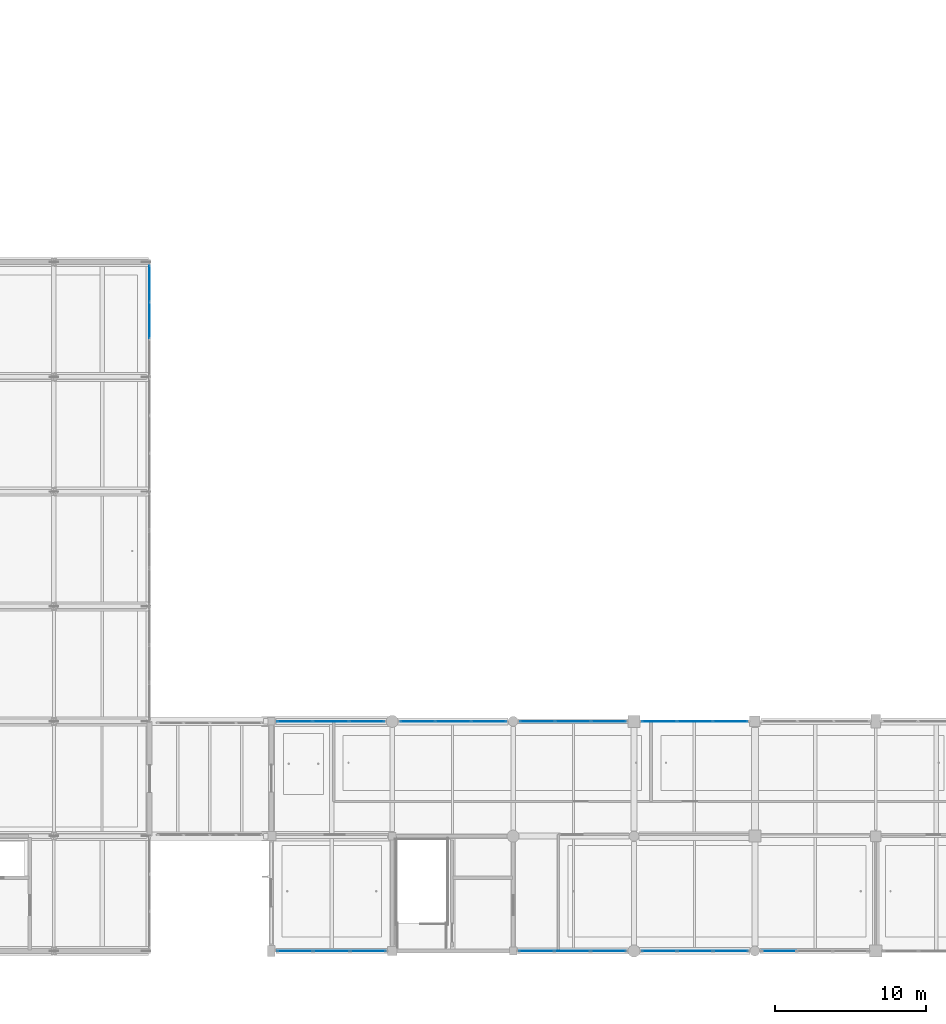
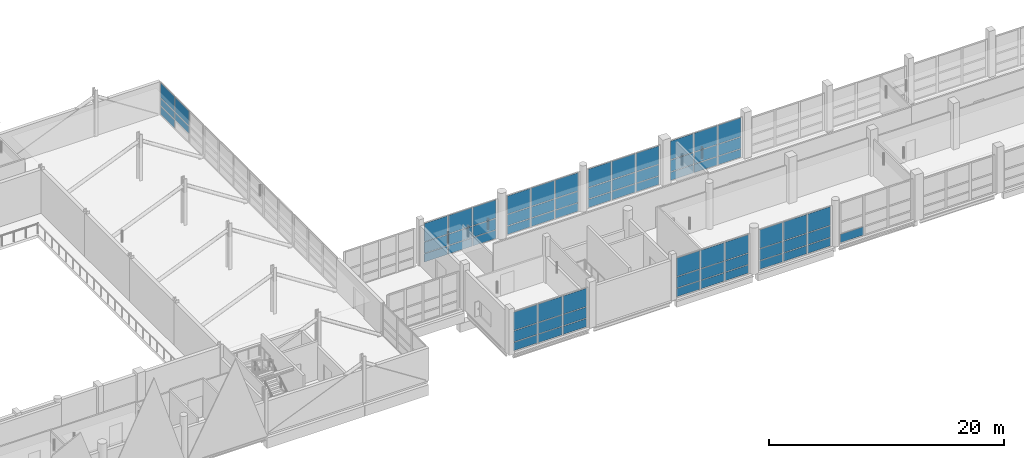
# One storey, part 74 of 141: 69 plates, 9 elements without a shape of their own.
"""IFC4 building model written with IfcOpenShell, lengths in metres."""

from ifc_helpers import new_model, si_unit, direction, frame, origin, origin_2d, place, context, subcontext, project, spatial, rectangle, extrude, material, layer, layer_set, type_object, element, aggregate, save


model = new_model("IFC4")

# Units and contexts
model_context = context("Model", 3, precision=1e-05, world=origin(), true_north=direction((0.0, 1.0)))
body_context = subcontext(model_context, "Body", "Model", "MODEL_VIEW")
ifc_project = project(units=[si_unit("LENGTHUNIT", "METRE"), si_unit("AREAUNIT", "SQUARE_METRE"), si_unit("VOLUMEUNIT", "CUBIC_METRE"), si_unit("PLANEANGLEUNIT", "RADIAN"), si_unit("MASSUNIT", "GRAM", prefix="KILO")], contexts=[model_context])

# Site, building, storey
site_placement = place(None, origin())
site = spatial("IfcSite", under=ifc_project, at=site_placement, CompositionType="ELEMENT")
building_placement = place(site_placement, origin())
building = spatial("IfcBuilding", under=site, at=building_placement, Name="Khelvaren Railside Concert Hall", CompositionType="ELEMENT")
storey_placement = place(building_placement, frame((0.0, 0.0, 10.199951171875)))
storey = spatial("IfcBuildingStorey", under=building, at=storey_placement, Name="L02", CompositionType="ELEMENT", Elevation=10.199951171875)

# Curtain wall, plates
ifc_material_1 = material(Name="Double-glazed clear foyer glass", Category="glass")
curtain_wall_type_1 = type_object("IfcCurtainWallType", Name="CW83", PredefinedType="USERDEFINED", material=ifc_material_1)
curtain_wall_1_placement = place(storey_placement, origin())
curtain_wall_1 = element("IfcCurtainWall", 1, at=curtain_wall_1_placement, inside=storey, type_object=curtain_wall_type_1, Name="Unitised Curtain Wall CW-V3-L02-S-64", ObjectType="UNITISED CURTAIN WALL", PredefinedType="USERDEFINED")
ifc_layer_1 = layer(ifc_material_1, 0.0439453125)
ifc_layer_set_1 = layer_set([ifc_layer_1], Name="Double-glazed clear foyer glass")
plate_type_1 = type_object("IfcPlateType", Name="CWP33", PredefinedType="CURTAIN_PANEL", material=ifc_layer_set_1)
plate_1_placement = place(storey_placement, frame((70.391357421875, 0.0, 0.06494140625), z_axis=(0.0, 0.0, 1.0), x_axis=(-1.0, 0.0, 0.0)))
plate_1 = element("IfcPlate", 2, at=plate_1_placement, type_object=plate_type_1, Name="CW83 panel 1.1", PredefinedType="CURTAIN_PANEL", context=body_context, shape_type="SweptSolid", body=[
    extrude(rectangle(XDim=2.322509765625, YDim=0.0439453125, at=origin_2d()), origin(), (0.0, 0.0, 1.0), 0.8525390625),
])
plate_2_placement = place(storey_placement, frame((70.391357421875, 0.0, 0.982421875), z_axis=(0.0, 0.0, 1.0), x_axis=(-1.0, 0.0, 0.0)))
plate_2 = element("IfcPlate", 3, at=plate_2_placement, type_object=plate_type_1, Name="CW83 panel 1.2", PredefinedType="CURTAIN_PANEL", context=body_context, shape_type="SweptSolid", body=[
    extrude(rectangle(XDim=2.322509765625, YDim=0.0439453125, at=origin_2d()), origin(), (0.0, 0.0, 1.0), 1.132568359375),
])
plate_3_placement = place(storey_placement, frame((70.391357421875, 0.0, 2.18017578125), z_axis=(0.0, 0.0, 1.0), x_axis=(-1.0, 0.0, 0.0)))
plate_3 = element("IfcPlate", 4, at=plate_3_placement, type_object=plate_type_1, Name="CW83 panel 1.3", PredefinedType="CURTAIN_PANEL", context=body_context, shape_type="SweptSolid", body=[
    extrude(rectangle(XDim=2.322509765625, YDim=0.0439453125, at=origin_2d()), origin(), (0.0, 0.0, 1.0), 1.885009765625),
])
plate_4_placement = place(storey_placement, frame((67.97509765625, 0.0, 0.06494140625), z_axis=(0.0, 0.0, 1.0), x_axis=(-1.0, 0.0, 0.0)))
plate_4 = element("IfcPlate", 5, at=plate_4_placement, type_object=plate_type_1, Name="CW83 panel 2.1", PredefinedType="CURTAIN_PANEL", context=body_context, shape_type="SweptSolid", body=[
    extrude(rectangle(XDim=2.360107421875, YDim=0.0439453125, at=origin_2d()), origin(), (0.0, 0.0, 1.0), 0.8525390625),
])
plate_5_placement = place(storey_placement, frame((67.97509765625, 0.0, 0.982421875), z_axis=(0.0, 0.0, 1.0), x_axis=(-1.0, 0.0, 0.0)))
plate_5 = element("IfcPlate", 6, at=plate_5_placement, type_object=plate_type_1, Name="CW83 panel 2.2", PredefinedType="CURTAIN_PANEL", context=body_context, shape_type="SweptSolid", body=[
    extrude(rectangle(XDim=2.360107421875, YDim=0.0439453125, at=origin_2d()), origin(), (0.0, 0.0, 1.0), 1.132568359375),
])
plate_6_placement = place(storey_placement, frame((67.97509765625, 0.0, 2.18017578125), z_axis=(0.0, 0.0, 1.0), x_axis=(-1.0, 0.0, 0.0)))
plate_6 = element("IfcPlate", 7, at=plate_6_placement, type_object=plate_type_1, Name="CW83 panel 2.3", PredefinedType="CURTAIN_PANEL", context=body_context, shape_type="SweptSolid", body=[
    extrude(rectangle(XDim=2.360107421875, YDim=0.0439453125, at=origin_2d()), origin(), (0.0, 0.0, 1.0), 1.885009765625),
])
plate_7_placement = place(storey_placement, frame((65.558837890625, 0.0, 0.06494140625), z_axis=(0.0, 0.0, 1.0), x_axis=(-1.0, 0.0, 0.0)))
plate_7 = element("IfcPlate", 8, at=plate_7_placement, type_object=plate_type_1, Name="CW83 panel 3.1", PredefinedType="CURTAIN_PANEL", context=body_context, shape_type="SweptSolid", body=[
    extrude(rectangle(XDim=2.322509765625, YDim=0.0439453125, at=origin_2d()), origin(), (0.0, 0.0, 1.0), 0.8525390625),
])
plate_8_placement = place(storey_placement, frame((65.558837890625, 0.0, 0.982421875), z_axis=(0.0, 0.0, 1.0), x_axis=(-1.0, 0.0, 0.0)))
plate_8 = element("IfcPlate", 9, at=plate_8_placement, type_object=plate_type_1, Name="CW83 panel 3.2", PredefinedType="CURTAIN_PANEL", context=body_context, shape_type="SweptSolid", body=[
    extrude(rectangle(XDim=2.322509765625, YDim=0.0439453125, at=origin_2d()), origin(), (0.0, 0.0, 1.0), 1.132568359375),
])
plate_9_placement = place(storey_placement, frame((65.558837890625, 0.0, 2.18017578125), z_axis=(0.0, 0.0, 1.0), x_axis=(-1.0, 0.0, 0.0)))
plate_9 = element("IfcPlate", 10, at=plate_9_placement, type_object=plate_type_1, Name="CW83 panel 3.3", PredefinedType="CURTAIN_PANEL", context=body_context, shape_type="SweptSolid", body=[
    extrude(rectangle(XDim=2.322509765625, YDim=0.0439453125, at=origin_2d()), origin(), (0.0, 0.0, 1.0), 1.885009765625),
])
aggregate(curtain_wall_1, [plate_1, plate_2, plate_3, plate_4, plate_5, plate_6, plate_7, plate_8, plate_9])

curtain_wall_type_2 = type_object("IfcCurtainWallType", Name="CW64", PredefinedType="USERDEFINED", material=ifc_material_1)
curtain_wall_2_placement = place(storey_placement, origin())
curtain_wall_2 = element("IfcCurtainWall", 11, at=curtain_wall_2_placement, inside=storey, type_object=curtain_wall_type_2, Name="Unitised Curtain Wall CW-V3-L02-S-80", ObjectType="UNITISED CURTAIN WALL", PredefinedType="USERDEFINED")
plate_10_placement = place(storey_placement, frame((86.307861328125, 0.0, 0.06494140625), z_axis=(0.0, 0.0, 1.0), x_axis=(-1.0, 0.0, 0.0)))
plate_10 = element("IfcPlate", 12, at=plate_10_placement, type_object=plate_type_1, Name="CW64 panel 1.1", PredefinedType="CURTAIN_PANEL", context=body_context, shape_type="SweptSolid", body=[
    extrude(rectangle(XDim=2.2890625, YDim=0.0439453125, at=origin_2d()), origin(), (0.0, 0.0, 1.0), 0.8525390625),
])
plate_11_placement = place(storey_placement, frame((86.307861328125, 0.0, 0.982421875), z_axis=(0.0, 0.0, 1.0), x_axis=(-1.0, 0.0, 0.0)))
plate_11 = element("IfcPlate", 13, at=plate_11_placement, type_object=plate_type_1, Name="CW64 panel 1.2", PredefinedType="CURTAIN_PANEL", context=body_context, shape_type="SweptSolid", body=[
    extrude(rectangle(XDim=2.2890625, YDim=0.0439453125, at=origin_2d()), origin(), (0.0, 0.0, 1.0), 1.132568359375),
])
plate_12_placement = place(storey_placement, frame((86.307861328125, 0.0, 2.18017578125), z_axis=(0.0, 0.0, 1.0), x_axis=(-1.0, 0.0, 0.0)))
plate_12 = element("IfcPlate", 14, at=plate_12_placement, type_object=plate_type_1, Name="CW64 panel 1.3", PredefinedType="CURTAIN_PANEL", context=body_context, shape_type="SweptSolid", body=[
    extrude(rectangle(XDim=2.2890625, YDim=0.0439453125, at=origin_2d()), origin(), (0.0, 0.0, 1.0), 1.885009765625),
])
plate_13_placement = place(storey_placement, frame((83.925048828125, 0.0, 0.06494140625), z_axis=(0.0, 0.0, 1.0), x_axis=(-1.0, 0.0, 0.0)))
plate_13 = element("IfcPlate", 15, at=plate_13_placement, type_object=plate_type_1, Name="CW64 panel 2.1", PredefinedType="CURTAIN_PANEL", context=body_context, shape_type="SweptSolid", body=[
    extrude(rectangle(XDim=2.32666015625, YDim=0.0439453125, at=origin_2d()), origin(), (0.0, 0.0, 1.0), 0.8525390625),
])
plate_14_placement = place(storey_placement, frame((83.925048828125, 0.0, 0.982421875), z_axis=(0.0, 0.0, 1.0), x_axis=(-1.0, 0.0, 0.0)))
plate_14 = element("IfcPlate", 16, at=plate_14_placement, type_object=plate_type_1, Name="CW64 panel 2.2", PredefinedType="CURTAIN_PANEL", context=body_context, shape_type="SweptSolid", body=[
    extrude(rectangle(XDim=2.32666015625, YDim=0.0439453125, at=origin_2d()), origin(), (0.0, 0.0, 1.0), 1.132568359375),
])
plate_15_placement = place(storey_placement, frame((83.925048828125, 0.0, 2.18017578125), z_axis=(0.0, 0.0, 1.0), x_axis=(-1.0, 0.0, 0.0)))
plate_15 = element("IfcPlate", 17, at=plate_15_placement, type_object=plate_type_1, Name="CW64 panel 2.3", PredefinedType="CURTAIN_PANEL", context=body_context, shape_type="SweptSolid", body=[
    extrude(rectangle(XDim=2.32666015625, YDim=0.0439453125, at=origin_2d()), origin(), (0.0, 0.0, 1.0), 1.885009765625),
])
plate_16_placement = place(storey_placement, frame((81.5419921875, 0.0, 0.06494140625), z_axis=(0.0, 0.0, 1.0), x_axis=(-1.0, 0.0, 0.0)))
plate_16 = element("IfcPlate", 18, at=plate_16_placement, type_object=plate_type_1, Name="CW64 panel 3.1", PredefinedType="CURTAIN_PANEL", context=body_context, shape_type="SweptSolid", body=[
    extrude(rectangle(XDim=2.2890625, YDim=0.0439453125, at=origin_2d()), origin(), (0.0, 0.0, 1.0), 0.8525390625),
])
plate_17_placement = place(storey_placement, frame((81.5419921875, 0.0, 0.982421875), z_axis=(0.0, 0.0, 1.0), x_axis=(-1.0, 0.0, 0.0)))
plate_17 = element("IfcPlate", 19, at=plate_17_placement, type_object=plate_type_1, Name="CW64 panel 3.2", PredefinedType="CURTAIN_PANEL", context=body_context, shape_type="SweptSolid", body=[
    extrude(rectangle(XDim=2.2890625, YDim=0.0439453125, at=origin_2d()), origin(), (0.0, 0.0, 1.0), 1.132568359375),
])
plate_18_placement = place(storey_placement, frame((81.5419921875, 0.0, 2.18017578125), z_axis=(0.0, 0.0, 1.0), x_axis=(-1.0, 0.0, 0.0)))
plate_18 = element("IfcPlate", 20, at=plate_18_placement, type_object=plate_type_1, Name="CW64 panel 3.3", PredefinedType="CURTAIN_PANEL", context=body_context, shape_type="SweptSolid", body=[
    extrude(rectangle(XDim=2.2890625, YDim=0.0439453125, at=origin_2d()), origin(), (0.0, 0.0, 1.0), 1.885009765625),
])
aggregate(curtain_wall_2, [plate_10, plate_11, plate_12, plate_13, plate_14, plate_15, plate_16, plate_17, plate_18])

curtain_wall_type_3 = type_object("IfcCurtainWallType", Name="CW68", PredefinedType="USERDEFINED", material=ifc_material_1)
curtain_wall_3_placement = place(storey_placement, origin())
curtain_wall_3 = element("IfcCurtainWall", 21, at=curtain_wall_3_placement, inside=storey, type_object=curtain_wall_type_3, Name="Unitised Curtain Wall CW-V3-L02-S-88", ObjectType="UNITISED CURTAIN WALL", PredefinedType="USERDEFINED")
plate_19_placement = place(storey_placement, frame((94.3955078125, 0.0, 0.06494140625), z_axis=(0.0, 0.0, 1.0), x_axis=(-1.0, 0.0, 0.0)))
plate_19 = element("IfcPlate", 22, at=plate_19_placement, type_object=plate_type_1, Name="CW68 panel 1.1", PredefinedType="CURTAIN_PANEL", context=body_context, shape_type="SweptSolid", body=[
    extrude(rectangle(XDim=2.26416015625, YDim=0.0439453125, at=origin_2d()), origin(), (0.0, 0.0, 1.0), 0.8525390625),
])
plate_20_placement = place(storey_placement, frame((94.3955078125, 0.0, 0.982421875), z_axis=(0.0, 0.0, 1.0), x_axis=(-1.0, 0.0, 0.0)))
plate_20 = element("IfcPlate", 23, at=plate_20_placement, type_object=plate_type_1, Name="CW68 panel 1.2", PredefinedType="CURTAIN_PANEL", context=body_context, shape_type="SweptSolid", body=[
    extrude(rectangle(XDim=2.26416015625, YDim=0.0439453125, at=origin_2d()), origin(), (0.0, 0.0, 1.0), 1.179443359375),
])
plate_21_placement = place(storey_placement, frame((94.3955078125, 0.0, 2.22705078125), z_axis=(0.0, 0.0, 1.0), x_axis=(-1.0, 0.0, 0.0)))
plate_21 = element("IfcPlate", 24, at=plate_21_placement, type_object=plate_type_1, Name="CW68 panel 1.3", PredefinedType="CURTAIN_PANEL", context=body_context, shape_type="SweptSolid", body=[
    extrude(rectangle(XDim=2.26416015625, YDim=0.0439453125, at=origin_2d()), origin(), (0.0, 0.0, 1.0), 1.927978515625),
])
plate_22_placement = place(storey_placement, frame((92.03759765625, 0.0, 0.06494140625), z_axis=(0.0, 0.0, 1.0), x_axis=(-1.0, 0.0, 0.0)))
plate_22 = element("IfcPlate", 25, at=plate_22_placement, type_object=plate_type_1, Name="CW68 panel 2.1", PredefinedType="CURTAIN_PANEL", context=body_context, shape_type="SweptSolid", body=[
    extrude(rectangle(XDim=2.3017578125, YDim=0.0439453125, at=origin_2d()), origin(), (0.0, 0.0, 1.0), 0.8525390625),
])
plate_23_placement = place(storey_placement, frame((92.03759765625, 0.0, 0.982421875), z_axis=(0.0, 0.0, 1.0), x_axis=(-1.0, 0.0, 0.0)))
plate_23 = element("IfcPlate", 26, at=plate_23_placement, type_object=plate_type_1, Name="CW68 panel 2.2", PredefinedType="CURTAIN_PANEL", context=body_context, shape_type="SweptSolid", body=[
    extrude(rectangle(XDim=2.3017578125, YDim=0.0439453125, at=origin_2d()), origin(), (0.0, 0.0, 1.0), 1.179443359375),
])
plate_24_placement = place(storey_placement, frame((92.03759765625, 0.0, 2.22705078125), z_axis=(0.0, 0.0, 1.0), x_axis=(-1.0, 0.0, 0.0)))
plate_24 = element("IfcPlate", 27, at=plate_24_placement, type_object=plate_type_1, Name="CW68 panel 2.3", PredefinedType="CURTAIN_PANEL", context=body_context, shape_type="SweptSolid", body=[
    extrude(rectangle(XDim=2.3017578125, YDim=0.0439453125, at=origin_2d()), origin(), (0.0, 0.0, 1.0), 1.927978515625),
])
plate_25_placement = place(storey_placement, frame((89.6796875, 0.0, 0.06494140625), z_axis=(0.0, 0.0, 1.0), x_axis=(-1.0, 0.0, 0.0)))
plate_25 = element("IfcPlate", 28, at=plate_25_placement, type_object=plate_type_1, Name="CW68 panel 3.1", PredefinedType="CURTAIN_PANEL", context=body_context, shape_type="SweptSolid", body=[
    extrude(rectangle(XDim=2.26416015625, YDim=0.0439453125, at=origin_2d()), origin(), (0.0, 0.0, 1.0), 0.8525390625),
])
plate_26_placement = place(storey_placement, frame((89.6796875, 0.0, 0.982421875), z_axis=(0.0, 0.0, 1.0), x_axis=(-1.0, 0.0, 0.0)))
plate_26 = element("IfcPlate", 29, at=plate_26_placement, type_object=plate_type_1, Name="CW68 panel 3.2", PredefinedType="CURTAIN_PANEL", context=body_context, shape_type="SweptSolid", body=[
    extrude(rectangle(XDim=2.26416015625, YDim=0.0439453125, at=origin_2d()), origin(), (0.0, 0.0, 1.0), 1.179443359375),
])
plate_27_placement = place(storey_placement, frame((89.6796875, 0.0, 2.22705078125), z_axis=(0.0, 0.0, 1.0), x_axis=(-1.0, 0.0, 0.0)))
plate_27 = element("IfcPlate", 30, at=plate_27_placement, type_object=plate_type_1, Name="CW68 panel 3.3", PredefinedType="CURTAIN_PANEL", context=body_context, shape_type="SweptSolid", body=[
    extrude(rectangle(XDim=2.26416015625, YDim=0.0439453125, at=origin_2d()), origin(), (0.0, 0.0, 1.0), 1.927978515625),
])
aggregate(curtain_wall_3, [plate_19, plate_20, plate_21, plate_22, plate_23, plate_24, plate_25, plate_26, plate_27])

# Curtain wall, plate
curtain_wall_type_4 = type_object("IfcCurtainWallType", Name="CW70", PredefinedType="USERDEFINED", material=ifc_material_1)
curtain_wall_4_placement = place(storey_placement, origin())
curtain_wall_4 = element("IfcCurtainWall", 31, at=curtain_wall_4_placement, inside=storey, type_object=curtain_wall_type_4, Name="Unitised Curtain Wall CW-V3-L02-S-96", ObjectType="UNITISED CURTAIN WALL", PredefinedType="USERDEFINED")
plate_28_placement = place(storey_placement, frame((97.6044921875, 0.0, 0.06494140625), z_axis=(0.0, 0.0, 1.0), x_axis=(-1.0, 0.0, 0.0)))
plate_28 = element("IfcPlate", 32, at=plate_28_placement, type_object=plate_type_1, Name="CW70 panel 3.1", PredefinedType="CURTAIN_PANEL", context=body_context, shape_type="SweptSolid", body=[
    extrude(rectangle(XDim=2.26416015625, YDim=0.0439453125, at=origin_2d()), origin(), (0.0, 0.0, 1.0), 0.8525390625),
])
aggregate(curtain_wall_4, [plate_28])

# Curtain wall, plates
curtain_wall_5_placement = place(storey_placement, origin())
curtain_wall_5 = element("IfcCurtainWall", 33, at=curtain_wall_5_placement, inside=storey, type_object=curtain_wall_type_4, Name="Unitised Curtain Wall CW-V3-L02-N-64", ObjectType="UNITISED CURTAIN WALL", PredefinedType="USERDEFINED")
plate_29_placement = place(storey_placement, frame((65.5419921875, 15.199951171875, 0.06494140625), z_axis=(0.0, 0.0, 1.0), x_axis=(1.0, 0.0, 0.0)))
plate_29 = element("IfcPlate", 34, at=plate_29_placement, type_object=plate_type_1, Name="CW70 panel 1.1", PredefinedType="CURTAIN_PANEL", context=body_context, shape_type="SweptSolid", body=[
    extrude(rectangle(XDim=2.2890625, YDim=0.0439453125, at=origin_2d()), origin(), (0.0, 0.0, 1.0), 0.8525390625),
])
plate_30_placement = place(storey_placement, frame((65.5419921875, 15.199951171875, 0.982421875), z_axis=(0.0, 0.0, 1.0), x_axis=(1.0, 0.0, 0.0)))
plate_30 = element("IfcPlate", 35, at=plate_30_placement, type_object=plate_type_1, Name="CW70 panel 1.2", PredefinedType="CURTAIN_PANEL", context=body_context, shape_type="SweptSolid", body=[
    extrude(rectangle(XDim=2.2890625, YDim=0.0439453125, at=origin_2d()), origin(), (0.0, 0.0, 1.0), 1.132568359375),
])
plate_31_placement = place(storey_placement, frame((65.5419921875, 15.199951171875, 2.18017578125), z_axis=(0.0, 0.0, 1.0), x_axis=(1.0, 0.0, 0.0)))
plate_31 = element("IfcPlate", 36, at=plate_31_placement, type_object=plate_type_1, Name="CW70 panel 1.3", PredefinedType="CURTAIN_PANEL", context=body_context, shape_type="SweptSolid", body=[
    extrude(rectangle(XDim=2.2890625, YDim=0.0439453125, at=origin_2d()), origin(), (0.0, 0.0, 1.0), 1.885009765625),
])
plate_32_placement = place(storey_placement, frame((67.925048828125, 15.199951171875, 0.06494140625), z_axis=(0.0, 0.0, 1.0), x_axis=(1.0, 0.0, 0.0)))
plate_32 = element("IfcPlate", 37, at=plate_32_placement, type_object=plate_type_1, Name="CW70 panel 2.1", PredefinedType="CURTAIN_PANEL", context=body_context, shape_type="SweptSolid", body=[
    extrude(rectangle(XDim=2.32666015625, YDim=0.0439453125, at=origin_2d()), origin(), (0.0, 0.0, 1.0), 0.8525390625),
])
plate_33_placement = place(storey_placement, frame((67.925048828125, 15.199951171875, 0.982421875), z_axis=(0.0, 0.0, 1.0), x_axis=(1.0, 0.0, 0.0)))
plate_33 = element("IfcPlate", 38, at=plate_33_placement, type_object=plate_type_1, Name="CW70 panel 2.2", PredefinedType="CURTAIN_PANEL", context=body_context, shape_type="SweptSolid", body=[
    extrude(rectangle(XDim=2.32666015625, YDim=0.0439453125, at=origin_2d()), origin(), (0.0, 0.0, 1.0), 1.132568359375),
])
plate_34_placement = place(storey_placement, frame((67.925048828125, 15.199951171875, 2.18017578125), z_axis=(0.0, 0.0, 1.0), x_axis=(1.0, 0.0, 0.0)))
plate_34 = element("IfcPlate", 39, at=plate_34_placement, type_object=plate_type_1, Name="CW70 panel 2.3", PredefinedType="CURTAIN_PANEL", context=body_context, shape_type="SweptSolid", body=[
    extrude(rectangle(XDim=2.32666015625, YDim=0.0439453125, at=origin_2d()), origin(), (0.0, 0.0, 1.0), 1.885009765625),
])
plate_35_placement = place(storey_placement, frame((70.307861328125, 15.199951171875, 0.06494140625), z_axis=(0.0, 0.0, 1.0), x_axis=(1.0, 0.0, 0.0)))
plate_35 = element("IfcPlate", 40, at=plate_35_placement, type_object=plate_type_1, Name="CW70 panel 3.1", PredefinedType="CURTAIN_PANEL", context=body_context, shape_type="SweptSolid", body=[
    extrude(rectangle(XDim=2.2890625, YDim=0.0439453125, at=origin_2d()), origin(), (0.0, 0.0, 1.0), 0.8525390625),
])
plate_36_placement = place(storey_placement, frame((70.307861328125, 15.199951171875, 0.982421875), z_axis=(0.0, 0.0, 1.0), x_axis=(1.0, 0.0, 0.0)))
plate_36 = element("IfcPlate", 41, at=plate_36_placement, type_object=plate_type_1, Name="CW70 panel 3.2", PredefinedType="CURTAIN_PANEL", context=body_context, shape_type="SweptSolid", body=[
    extrude(rectangle(XDim=2.2890625, YDim=0.0439453125, at=origin_2d()), origin(), (0.0, 0.0, 1.0), 1.132568359375),
])
plate_37_placement = place(storey_placement, frame((70.307861328125, 15.199951171875, 2.18017578125), z_axis=(0.0, 0.0, 1.0), x_axis=(1.0, 0.0, 0.0)))
plate_37 = element("IfcPlate", 42, at=plate_37_placement, type_object=plate_type_1, Name="CW70 panel 3.3", PredefinedType="CURTAIN_PANEL", context=body_context, shape_type="SweptSolid", body=[
    extrude(rectangle(XDim=2.2890625, YDim=0.0439453125, at=origin_2d()), origin(), (0.0, 0.0, 1.0), 1.885009765625),
])
aggregate(curtain_wall_5, [plate_29, plate_30, plate_31, plate_32, plate_33, plate_34, plate_35, plate_36, plate_37])

curtain_wall_6_placement = place(storey_placement, origin())
curtain_wall_6 = element("IfcCurtainWall", 43, at=curtain_wall_6_placement, inside=storey, type_object=curtain_wall_type_1, Name="Unitised Curtain Wall CW-V3-L02-N-72", ObjectType="UNITISED CURTAIN WALL", PredefinedType="USERDEFINED")
plate_38_placement = place(storey_placement, frame((73.6796875, 15.199951171875, 0.06494140625), z_axis=(0.0, 0.0, 1.0), x_axis=(1.0, 0.0, 0.0)))
plate_38 = element("IfcPlate", 44, at=plate_38_placement, type_object=plate_type_1, Name="CW83 panel 1.1", PredefinedType="CURTAIN_PANEL", context=body_context, shape_type="SweptSolid", body=[
    extrude(rectangle(XDim=2.26416015625, YDim=0.0439453125, at=origin_2d()), origin(), (0.0, 0.0, 1.0), 0.8525390625),
])
plate_39_placement = place(storey_placement, frame((73.6796875, 15.199951171875, 0.982421875), z_axis=(0.0, 0.0, 1.0), x_axis=(1.0, 0.0, 0.0)))
plate_39 = element("IfcPlate", 45, at=plate_39_placement, type_object=plate_type_1, Name="CW83 panel 1.2", PredefinedType="CURTAIN_PANEL", context=body_context, shape_type="SweptSolid", body=[
    extrude(rectangle(XDim=2.26416015625, YDim=0.0439453125, at=origin_2d()), origin(), (0.0, 0.0, 1.0), 1.132568359375),
])
plate_40_placement = place(storey_placement, frame((73.6796875, 15.199951171875, 2.18017578125), z_axis=(0.0, 0.0, 1.0), x_axis=(1.0, 0.0, 0.0)))
plate_40 = element("IfcPlate", 46, at=plate_40_placement, type_object=plate_type_1, Name="CW83 panel 1.3", PredefinedType="CURTAIN_PANEL", context=body_context, shape_type="SweptSolid", body=[
    extrude(rectangle(XDim=2.26416015625, YDim=0.0439453125, at=origin_2d()), origin(), (0.0, 0.0, 1.0), 1.885009765625),
])
plate_41_placement = place(storey_placement, frame((76.03759765625, 15.199951171875, 0.06494140625), z_axis=(0.0, 0.0, 1.0), x_axis=(1.0, 0.0, 0.0)))
plate_41 = element("IfcPlate", 47, at=plate_41_placement, type_object=plate_type_1, Name="CW83 panel 2.1", PredefinedType="CURTAIN_PANEL", context=body_context, shape_type="SweptSolid", body=[
    extrude(rectangle(XDim=2.3017578125, YDim=0.0439453125, at=origin_2d()), origin(), (0.0, 0.0, 1.0), 0.8525390625),
])
plate_42_placement = place(storey_placement, frame((76.03759765625, 15.199951171875, 0.982421875), z_axis=(0.0, 0.0, 1.0), x_axis=(1.0, 0.0, 0.0)))
plate_42 = element("IfcPlate", 48, at=plate_42_placement, type_object=plate_type_1, Name="CW83 panel 2.2", PredefinedType="CURTAIN_PANEL", context=body_context, shape_type="SweptSolid", body=[
    extrude(rectangle(XDim=2.3017578125, YDim=0.0439453125, at=origin_2d()), origin(), (0.0, 0.0, 1.0), 1.132568359375),
])
plate_43_placement = place(storey_placement, frame((76.03759765625, 15.199951171875, 2.18017578125), z_axis=(0.0, 0.0, 1.0), x_axis=(1.0, 0.0, 0.0)))
plate_43 = element("IfcPlate", 49, at=plate_43_placement, type_object=plate_type_1, Name="CW83 panel 2.3", PredefinedType="CURTAIN_PANEL", context=body_context, shape_type="SweptSolid", body=[
    extrude(rectangle(XDim=2.3017578125, YDim=0.0439453125, at=origin_2d()), origin(), (0.0, 0.0, 1.0), 1.885009765625),
])
plate_44_placement = place(storey_placement, frame((78.3955078125, 15.199951171875, 0.06494140625), z_axis=(0.0, 0.0, 1.0), x_axis=(1.0, 0.0, 0.0)))
plate_44 = element("IfcPlate", 50, at=plate_44_placement, type_object=plate_type_1, Name="CW83 panel 3.1", PredefinedType="CURTAIN_PANEL", context=body_context, shape_type="SweptSolid", body=[
    extrude(rectangle(XDim=2.26416015625, YDim=0.0439453125, at=origin_2d()), origin(), (0.0, 0.0, 1.0), 0.8525390625),
])
plate_45_placement = place(storey_placement, frame((78.3955078125, 15.199951171875, 0.982421875), z_axis=(0.0, 0.0, 1.0), x_axis=(1.0, 0.0, 0.0)))
plate_45 = element("IfcPlate", 51, at=plate_45_placement, type_object=plate_type_1, Name="CW83 panel 3.2", PredefinedType="CURTAIN_PANEL", context=body_context, shape_type="SweptSolid", body=[
    extrude(rectangle(XDim=2.26416015625, YDim=0.0439453125, at=origin_2d()), origin(), (0.0, 0.0, 1.0), 1.132568359375),
])
plate_46_placement = place(storey_placement, frame((78.3955078125, 15.199951171875, 2.18017578125), z_axis=(0.0, 0.0, 1.0), x_axis=(1.0, 0.0, 0.0)))
plate_46 = element("IfcPlate", 52, at=plate_46_placement, type_object=plate_type_1, Name="CW83 panel 3.3", PredefinedType="CURTAIN_PANEL", context=body_context, shape_type="SweptSolid", body=[
    extrude(rectangle(XDim=2.26416015625, YDim=0.0439453125, at=origin_2d()), origin(), (0.0, 0.0, 1.0), 1.885009765625),
])
aggregate(curtain_wall_6, [plate_38, plate_39, plate_40, plate_41, plate_42, plate_43, plate_44, plate_45, plate_46])

curtain_wall_7_placement = place(storey_placement, origin())
curtain_wall_7 = element("IfcCurtainWall", 53, at=curtain_wall_7_placement, inside=storey, type_object=curtain_wall_type_2, Name="Unitised Curtain Wall CW-V3-L02-N-80", ObjectType="UNITISED CURTAIN WALL", PredefinedType="USERDEFINED")
plate_47_placement = place(storey_placement, frame((81.6044921875, 15.199951171875, 0.06494140625), z_axis=(0.0, 0.0, 1.0), x_axis=(1.0, 0.0, 0.0)))
plate_47 = element("IfcPlate", 54, at=plate_47_placement, type_object=plate_type_1, Name="CW64 panel 1.1", PredefinedType="CURTAIN_PANEL", context=body_context, shape_type="SweptSolid", body=[
    extrude(rectangle(XDim=2.26416015625, YDim=0.0439453125, at=origin_2d()), origin(), (0.0, 0.0, 1.0), 0.8525390625),
])
plate_48_placement = place(storey_placement, frame((81.6044921875, 15.199951171875, 0.982421875), z_axis=(0.0, 0.0, 1.0), x_axis=(1.0, 0.0, 0.0)))
plate_48 = element("IfcPlate", 55, at=plate_48_placement, type_object=plate_type_1, Name="CW64 panel 1.2", PredefinedType="CURTAIN_PANEL", context=body_context, shape_type="SweptSolid", body=[
    extrude(rectangle(XDim=2.26416015625, YDim=0.0439453125, at=origin_2d()), origin(), (0.0, 0.0, 1.0), 1.132568359375),
])
plate_49_placement = place(storey_placement, frame((81.6044921875, 15.199951171875, 2.18017578125), z_axis=(0.0, 0.0, 1.0), x_axis=(1.0, 0.0, 0.0)))
plate_49 = element("IfcPlate", 56, at=plate_49_placement, type_object=plate_type_1, Name="CW64 panel 1.3", PredefinedType="CURTAIN_PANEL", context=body_context, shape_type="SweptSolid", body=[
    extrude(rectangle(XDim=2.26416015625, YDim=0.0439453125, at=origin_2d()), origin(), (0.0, 0.0, 1.0), 1.885009765625),
])
plate_50_placement = place(storey_placement, frame((83.96240234375, 15.199951171875, 0.06494140625), z_axis=(0.0, 0.0, 1.0), x_axis=(1.0, 0.0, 0.0)))
plate_50 = element("IfcPlate", 57, at=plate_50_placement, type_object=plate_type_1, Name="CW64 panel 2.1", PredefinedType="CURTAIN_PANEL", context=body_context, shape_type="SweptSolid", body=[
    extrude(rectangle(XDim=2.3017578125, YDim=0.0439453125, at=origin_2d()), origin(), (0.0, 0.0, 1.0), 0.8525390625),
])
plate_51_placement = place(storey_placement, frame((83.96240234375, 15.199951171875, 0.982421875), z_axis=(0.0, 0.0, 1.0), x_axis=(1.0, 0.0, 0.0)))
plate_51 = element("IfcPlate", 58, at=plate_51_placement, type_object=plate_type_1, Name="CW64 panel 2.2", PredefinedType="CURTAIN_PANEL", context=body_context, shape_type="SweptSolid", body=[
    extrude(rectangle(XDim=2.3017578125, YDim=0.0439453125, at=origin_2d()), origin(), (0.0, 0.0, 1.0), 1.132568359375),
])
plate_52_placement = place(storey_placement, frame((83.96240234375, 15.199951171875, 2.18017578125), z_axis=(0.0, 0.0, 1.0), x_axis=(1.0, 0.0, 0.0)))
plate_52 = element("IfcPlate", 59, at=plate_52_placement, type_object=plate_type_1, Name="CW64 panel 2.3", PredefinedType="CURTAIN_PANEL", context=body_context, shape_type="SweptSolid", body=[
    extrude(rectangle(XDim=2.3017578125, YDim=0.0439453125, at=origin_2d()), origin(), (0.0, 0.0, 1.0), 1.885009765625),
])
plate_53_placement = place(storey_placement, frame((86.3203125, 15.199951171875, 0.06494140625), z_axis=(0.0, 0.0, 1.0), x_axis=(1.0, 0.0, 0.0)))
plate_53 = element("IfcPlate", 60, at=plate_53_placement, type_object=plate_type_1, Name="CW64 panel 3.1", PredefinedType="CURTAIN_PANEL", context=body_context, shape_type="SweptSolid", body=[
    extrude(rectangle(XDim=2.26416015625, YDim=0.0439453125, at=origin_2d()), origin(), (0.0, 0.0, 1.0), 0.8525390625),
])
plate_54_placement = place(storey_placement, frame((86.3203125, 15.199951171875, 0.982421875), z_axis=(0.0, 0.0, 1.0), x_axis=(1.0, 0.0, 0.0)))
plate_54 = element("IfcPlate", 61, at=plate_54_placement, type_object=plate_type_1, Name="CW64 panel 3.2", PredefinedType="CURTAIN_PANEL", context=body_context, shape_type="SweptSolid", body=[
    extrude(rectangle(XDim=2.26416015625, YDim=0.0439453125, at=origin_2d()), origin(), (0.0, 0.0, 1.0), 1.132568359375),
])
plate_55_placement = place(storey_placement, frame((86.3203125, 15.199951171875, 2.18017578125), z_axis=(0.0, 0.0, 1.0), x_axis=(1.0, 0.0, 0.0)))
plate_55 = element("IfcPlate", 62, at=plate_55_placement, type_object=plate_type_1, Name="CW64 panel 3.3", PredefinedType="CURTAIN_PANEL", context=body_context, shape_type="SweptSolid", body=[
    extrude(rectangle(XDim=2.26416015625, YDim=0.0439453125, at=origin_2d()), origin(), (0.0, 0.0, 1.0), 1.885009765625),
])
aggregate(curtain_wall_7, [plate_47, plate_48, plate_49, plate_50, plate_51, plate_52, plate_53, plate_54, plate_55])

curtain_wall_8_placement = place(storey_placement, origin())
curtain_wall_8 = element("IfcCurtainWall", 63, at=curtain_wall_8_placement, inside=storey, type_object=curtain_wall_type_3, Name="Unitised Curtain Wall CW-V3-L02-N-88", ObjectType="UNITISED CURTAIN WALL", PredefinedType="USERDEFINED")
plate_56_placement = place(storey_placement, frame((89.675537109375, 15.199951171875, 0.06494140625), z_axis=(0.0, 0.0, 1.0), x_axis=(1.0, 0.0, 0.0)))
plate_56 = element("IfcPlate", 64, at=plate_56_placement, type_object=plate_type_1, Name="CW68 panel 1.1", PredefinedType="CURTAIN_PANEL", context=body_context, shape_type="SweptSolid", body=[
    extrude(rectangle(XDim=2.255859375, YDim=0.0439453125, at=origin_2d()), origin(), (0.0, 0.0, 1.0), 0.8525390625),
])
plate_57_placement = place(storey_placement, frame((89.675537109375, 15.199951171875, 0.982421875), z_axis=(0.0, 0.0, 1.0), x_axis=(1.0, 0.0, 0.0)))
plate_57 = element("IfcPlate", 65, at=plate_57_placement, type_object=plate_type_1, Name="CW68 panel 1.2", PredefinedType="CURTAIN_PANEL", context=body_context, shape_type="SweptSolid", body=[
    extrude(rectangle(XDim=2.255859375, YDim=0.0439453125, at=origin_2d()), origin(), (0.0, 0.0, 1.0), 1.179443359375),
])
plate_58_placement = place(storey_placement, frame((89.675537109375, 15.199951171875, 2.22705078125), z_axis=(0.0, 0.0, 1.0), x_axis=(1.0, 0.0, 0.0)))
plate_58 = element("IfcPlate", 66, at=plate_58_placement, type_object=plate_type_1, Name="CW68 panel 1.3", PredefinedType="CURTAIN_PANEL", context=body_context, shape_type="SweptSolid", body=[
    extrude(rectangle(XDim=2.255859375, YDim=0.0439453125, at=origin_2d()), origin(), (0.0, 0.0, 1.0), 1.927978515625),
])
plate_59_placement = place(storey_placement, frame((92.02490234375, 15.199951171875, 0.06494140625), z_axis=(0.0, 0.0, 1.0), x_axis=(1.0, 0.0, 0.0)))
plate_59 = element("IfcPlate", 67, at=plate_59_placement, type_object=plate_type_1, Name="CW68 panel 2.1", PredefinedType="CURTAIN_PANEL", context=body_context, shape_type="SweptSolid", body=[
    extrude(rectangle(XDim=2.293212890625, YDim=0.0439453125, at=origin_2d()), origin(), (0.0, 0.0, 1.0), 0.8525390625),
])
plate_60_placement = place(storey_placement, frame((92.02490234375, 15.199951171875, 0.982421875), z_axis=(0.0, 0.0, 1.0), x_axis=(1.0, 0.0, 0.0)))
plate_60 = element("IfcPlate", 68, at=plate_60_placement, type_object=plate_type_1, Name="CW68 panel 2.2", PredefinedType="CURTAIN_PANEL", context=body_context, shape_type="SweptSolid", body=[
    extrude(rectangle(XDim=2.293212890625, YDim=0.0439453125, at=origin_2d()), origin(), (0.0, 0.0, 1.0), 1.179443359375),
])
plate_61_placement = place(storey_placement, frame((92.02490234375, 15.199951171875, 2.22705078125), z_axis=(0.0, 0.0, 1.0), x_axis=(1.0, 0.0, 0.0)))
plate_61 = element("IfcPlate", 69, at=plate_61_placement, type_object=plate_type_1, Name="CW68 panel 2.3", PredefinedType="CURTAIN_PANEL", context=body_context, shape_type="SweptSolid", body=[
    extrude(rectangle(XDim=2.293212890625, YDim=0.0439453125, at=origin_2d()), origin(), (0.0, 0.0, 1.0), 1.927978515625),
])
plate_62_placement = place(storey_placement, frame((94.37451171875, 15.199951171875, 0.06494140625), z_axis=(0.0, 0.0, 1.0), x_axis=(1.0, 0.0, 0.0)))
plate_62 = element("IfcPlate", 70, at=plate_62_placement, type_object=plate_type_1, Name="CW68 panel 3.1", PredefinedType="CURTAIN_PANEL", context=body_context, shape_type="SweptSolid", body=[
    extrude(rectangle(XDim=2.255859375, YDim=0.0439453125, at=origin_2d()), origin(), (0.0, 0.0, 1.0), 0.8525390625),
])
plate_63_placement = place(storey_placement, frame((94.37451171875, 15.199951171875, 0.982421875), z_axis=(0.0, 0.0, 1.0), x_axis=(1.0, 0.0, 0.0)))
plate_63 = element("IfcPlate", 71, at=plate_63_placement, type_object=plate_type_1, Name="CW68 panel 3.2", PredefinedType="CURTAIN_PANEL", context=body_context, shape_type="SweptSolid", body=[
    extrude(rectangle(XDim=2.255859375, YDim=0.0439453125, at=origin_2d()), origin(), (0.0, 0.0, 1.0), 1.179443359375),
])
plate_64_placement = place(storey_placement, frame((94.37451171875, 15.199951171875, 2.22705078125), z_axis=(0.0, 0.0, 1.0), x_axis=(1.0, 0.0, 0.0)))
plate_64 = element("IfcPlate", 72, at=plate_64_placement, type_object=plate_type_1, Name="CW68 panel 3.3", PredefinedType="CURTAIN_PANEL", context=body_context, shape_type="SweptSolid", body=[
    extrude(rectangle(XDim=2.255859375, YDim=0.0439453125, at=origin_2d()), origin(), (0.0, 0.0, 1.0), 1.927978515625),
])
aggregate(curtain_wall_8, [plate_56, plate_57, plate_58, plate_59, plate_60, plate_61, plate_62, plate_63, plate_64])

ifc_material_2 = material(Name="Triple-glazed solar-control glass", Category="glass")
curtain_wall_type_5 = type_object("IfcCurtainWallType", Name="CW41", PredefinedType="USERDEFINED", material=ifc_material_2)
curtain_wall_9_placement = place(storey_placement, origin())
curtain_wall_9 = element("IfcCurtainWall", 73, at=curtain_wall_9_placement, inside=storey, type_object=curtain_wall_type_5, Name="Unitised Curtain Wall CW-V1-L02-E-38", ObjectType="UNITISED CURTAIN WALL", PredefinedType="USERDEFINED")
ifc_layer_2 = layer(ifc_material_2, 0.035888671875)
ifc_layer_set_2 = layer_set([ifc_layer_2], Name="Triple-glazed solar-control glass")
plate_type_2 = type_object("IfcPlateType", Name="CWP53", PredefinedType="CURTAIN_PANEL", material=ifc_layer_set_2)
plate_65_placement = place(storey_placement, frame((55.93994140625, 44.18798828125, 0.0751953125), z_axis=(0.0, 0.0, 1.0), x_axis=(0.0, -1.0, 0.0)))
plate_65 = element("IfcPlate", 74, at=plate_65_placement, type_object=plate_type_2, Name="CW41 panel 1.1", PredefinedType="CURTAIN_PANEL", context=body_context, shape_type="SweptSolid", body=[
    extrude(rectangle(XDim=2.354248046875, YDim=0.035888671875, at=origin_2d()), origin(), (0.0, 0.0, 1.0), 0.83740234375),
])
plate_66_placement = place(storey_placement, frame((55.93994140625, 44.18798828125, 0.9873046875), z_axis=(0.0, 0.0, 1.0), x_axis=(0.0, -1.0, 0.0)))
plate_66 = element("IfcPlate", 75, at=plate_66_placement, type_object=plate_type_2, Name="CW41 panel 1.2", PredefinedType="CURTAIN_PANEL", context=body_context, shape_type="SweptSolid", body=[
    extrude(rectangle(XDim=2.354248046875, YDim=0.035888671875, at=origin_2d()), origin(), (0.0, 0.0, 1.0), 0.748291015625),
])
plate_67_placement = place(storey_placement, frame((55.93994140625, 44.18798828125, 1.810791015625), z_axis=(0.0, 0.0, 1.0), x_axis=(0.0, -1.0, 0.0)))
plate_67 = element("IfcPlate", 76, at=plate_67_placement, type_object=plate_type_2, Name="CW41 panel 1.3", PredefinedType="CURTAIN_PANEL", context=body_context, shape_type="SweptSolid", body=[
    extrude(rectangle(XDim=2.354248046875, YDim=0.035888671875, at=origin_2d()), origin(), (0.0, 0.0, 1.0), 1.5244140625),
])
plate_68_placement = place(storey_placement, frame((55.93994140625, 41.739990234375, 0.9873046875), z_axis=(0.0, 0.0, 1.0), x_axis=(0.0, -1.0, 0.0)))
plate_68 = element("IfcPlate", 77, at=plate_68_placement, type_object=plate_type_2, Name="CW41 panel 2.2", PredefinedType="CURTAIN_PANEL", context=body_context, shape_type="SweptSolid", body=[
    extrude(rectangle(XDim=2.3916015625, YDim=0.035888671875, at=origin_2d()), origin(), (0.0, 0.0, 1.0), 0.748291015625),
])
plate_69_placement = place(storey_placement, frame((55.93994140625, 41.739990234375, 1.810791015625), z_axis=(0.0, 0.0, 1.0), x_axis=(0.0, -1.0, 0.0)))
plate_69 = element("IfcPlate", 78, at=plate_69_placement, type_object=plate_type_2, Name="CW41 panel 2.3", PredefinedType="CURTAIN_PANEL", context=body_context, shape_type="SweptSolid", body=[
    extrude(rectangle(XDim=2.3916015625, YDim=0.035888671875, at=origin_2d()), origin(), (0.0, 0.0, 1.0), 1.5244140625),
])
aggregate(curtain_wall_9, [plate_65, plate_66, plate_67, plate_68, plate_69])

save(model, "model.ifc")
